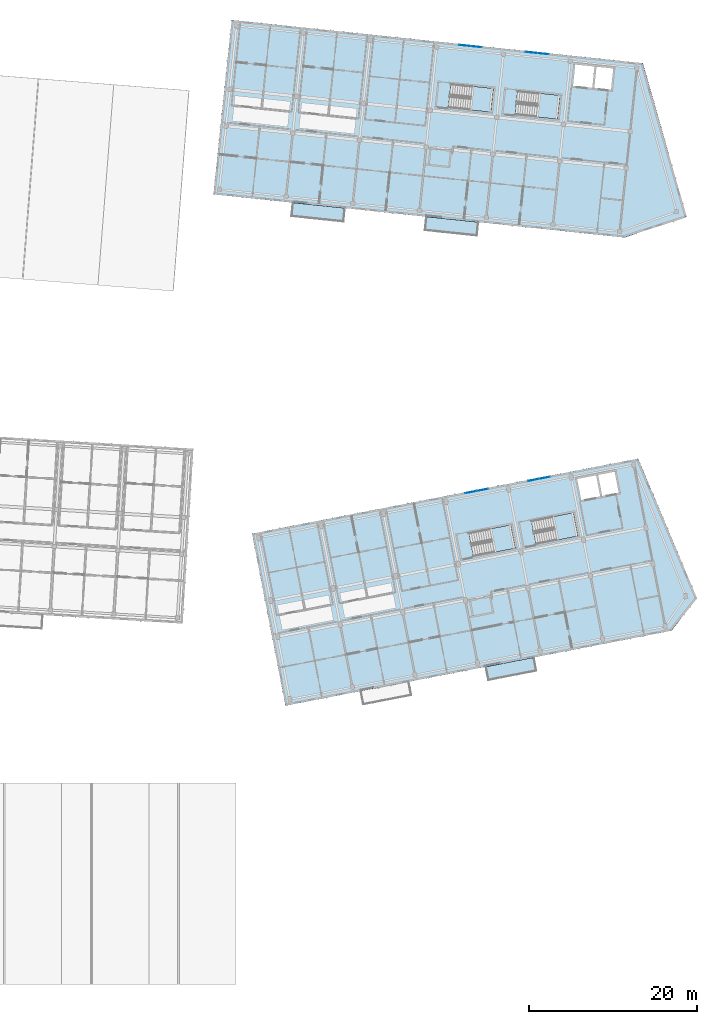
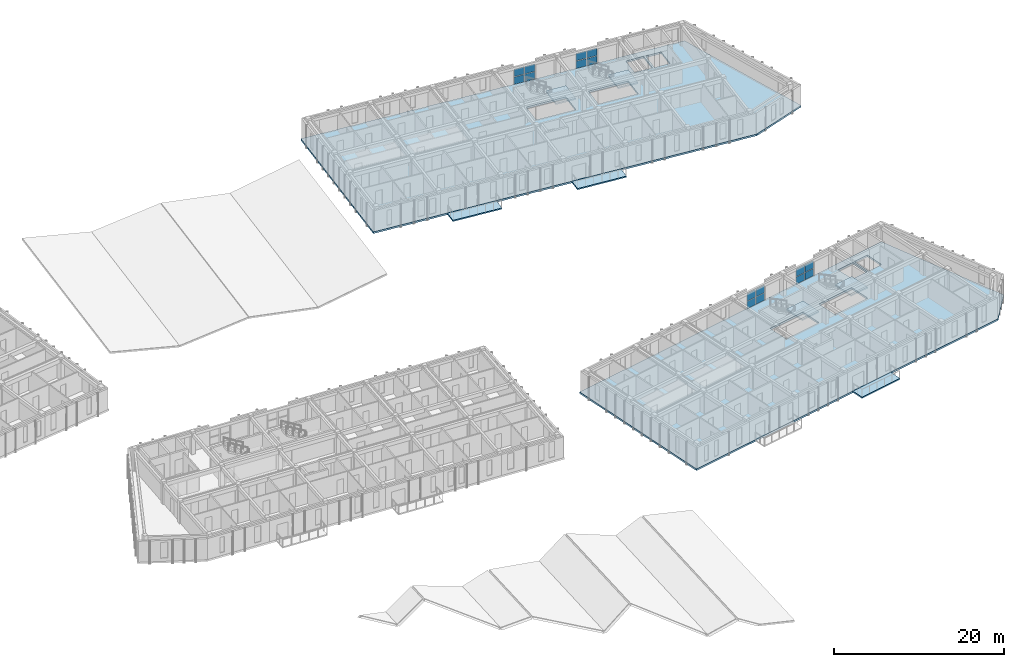
# One storey, part 17 of 74: 16 plates, 9 slabs, 8 elements without a shape of their own.
"""IFC4 building model written with IfcOpenShell, lengths in metres."""

from ifc_helpers import new_model, si_unit, direction, frame, origin, origin_2d, place, context, subcontext, project, spatial, polyline, rectangle, outline, extrude, material, layer, layer_set, type_object, element, aggregate, save


model = new_model("IFC4")

# Units and contexts
model_context = context("Model", 3, precision=1e-05, world=origin(), true_north=direction((0.0, 1.0)))
body_context = subcontext(model_context, "Body", "Model", "MODEL_VIEW")
ifc_project = project(units=[si_unit("LENGTHUNIT", "METRE"), si_unit("AREAUNIT", "SQUARE_METRE"), si_unit("VOLUMEUNIT", "CUBIC_METRE"), si_unit("PLANEANGLEUNIT", "RADIAN"), si_unit("MASSUNIT", "GRAM", prefix="KILO")], contexts=[model_context])

# Site, building, storey
site_placement = place(None, origin())
site = spatial("IfcSite", under=ifc_project, at=site_placement, CompositionType="ELEMENT")
building_placement = place(site_placement, origin())
building = spatial("IfcBuilding", under=site, at=building_placement, Name="Kestramere Prow Commons", CompositionType="ELEMENT")
storey_placement = place(building_placement, frame((0.0, 0.0, 11.64990234375)))
storey = spatial("IfcBuildingStorey", under=building, at=storey_placement, Name="L03", CompositionType="ELEMENT", Elevation=11.64990234375)

# Curtain wall, plates
ifc_material_1 = material(Name="Anodised Aluminium and Low-E Glass", Category="aluminium")
curtain_wall_type = type_object("IfcCurtainWallType", Name="CW-03 Glazed Curtain Wall 2830x2320", PredefinedType="USERDEFINED", material=ifc_material_1)
curtain_wall_1_placement = place(storey_placement, origin())
curtain_wall_1 = element("IfcCurtainWall", 1, at=curtain_wall_1_placement, inside=storey, type_object=curtain_wall_type, Name="Block B L03 Stairwell Vertical Glazing 4", ObjectType="GLAZED CURTAIN WALL", PredefinedType="USERDEFINED")
ifc_material_2 = material(Name="Low-E Laminated Double Glazing", Category="glass")
ifc_layer_1 = layer(ifc_material_2, 0.028076171875)
ifc_layer_set_1 = layer_set([ifc_layer_1], Name="Low-E Laminated Double Glazing")
plate_type = type_object("IfcPlateType", Name="CW-PNL-28", PredefinedType="CURTAIN_PANEL", material=ifc_layer_set_1)
plate_1_placement = place(storey_placement, frame((139.2626953125, 111.960205078125, 0.065185546875), z_axis=(0.0, 0.0, 1.0), x_axis=(0.994521879016, -0.104528618845, 0.0)))
plate_1 = element("IfcPlate", 2, at=plate_1_placement, type_object=plate_type, Name="CW-03 panel 1.1", PredefinedType="CURTAIN_PANEL", context=body_context, shape_type="SweptSolid", body=[
    extrude(rectangle(XDim=1.3173828125, YDim=0.028076171875, at=origin_2d()), origin(), (0.0, 0.0, 1.0), 1.0625),
])
plate_2_placement = place(storey_placement, frame((139.2626953125, 111.960205078125, 1.192626953125), z_axis=(0.0, 0.0, 1.0), x_axis=(0.994521879016, -0.104528618845, 0.0)))
plate_2 = element("IfcPlate", 3, at=plate_2_placement, type_object=plate_type, Name="CW-03 panel 1.2", PredefinedType="CURTAIN_PANEL", context=body_context, shape_type="SweptSolid", body=[
    extrude(rectangle(XDim=1.3173828125, YDim=0.028076171875, at=origin_2d()), origin(), (0.0, 0.0, 1.0), 1.0625),
])
plate_3_placement = place(storey_placement, frame((140.6376953125, 111.815673828125, 0.065185546875), z_axis=(0.0, 0.0, 1.0), x_axis=(0.994521879016, -0.104528618845, 0.0)))
plate_3 = element("IfcPlate", 4, at=plate_3_placement, type_object=plate_type, Name="CW-03 panel 2.1", PredefinedType="CURTAIN_PANEL", context=body_context, shape_type="SweptSolid", body=[
    extrude(rectangle(XDim=1.3173828125, YDim=0.028076171875, at=origin_2d()), origin(), (0.0, 0.0, 1.0), 1.0625),
])
plate_4_placement = place(storey_placement, frame((140.6376953125, 111.815673828125, 1.192626953125), z_axis=(0.0, 0.0, 1.0), x_axis=(0.994521879016, -0.104528618845, 0.0)))
plate_4 = element("IfcPlate", 5, at=plate_4_placement, type_object=plate_type, Name="CW-03 panel 2.2", PredefinedType="CURTAIN_PANEL", context=body_context, shape_type="SweptSolid", body=[
    extrude(rectangle(XDim=1.3173828125, YDim=0.028076171875, at=origin_2d()), origin(), (0.0, 0.0, 1.0), 1.0625),
])
aggregate(curtain_wall_1, [plate_1, plate_2, plate_3, plate_4])

curtain_wall_2_placement = place(storey_placement, origin())
curtain_wall_2 = element("IfcCurtainWall", 6, at=curtain_wall_2_placement, inside=storey, type_object=curtain_wall_type, Name="Block B L03 Stairwell Vertical Glazing 5", ObjectType="GLAZED CURTAIN WALL", PredefinedType="USERDEFINED")
plate_5_placement = place(storey_placement, frame((147.218994140625, 111.1240234375, 0.065185546875), z_axis=(0.0, 0.0, 1.0), x_axis=(0.99452191575, -0.104528269348, 0.0)))
plate_5 = element("IfcPlate", 7, at=plate_5_placement, type_object=plate_type, Name="CW-03 panel 1.1", PredefinedType="CURTAIN_PANEL", context=body_context, shape_type="SweptSolid", body=[
    extrude(rectangle(XDim=1.3173828125, YDim=0.028076171875, at=origin_2d()), origin(), (0.0, 0.0, 1.0), 1.0625),
])
plate_6_placement = place(storey_placement, frame((147.218994140625, 111.1240234375, 1.192626953125), z_axis=(0.0, 0.0, 1.0), x_axis=(0.99452191575, -0.104528269348, 0.0)))
plate_6 = element("IfcPlate", 8, at=plate_6_placement, type_object=plate_type, Name="CW-03 panel 1.2", PredefinedType="CURTAIN_PANEL", context=body_context, shape_type="SweptSolid", body=[
    extrude(rectangle(XDim=1.3173828125, YDim=0.028076171875, at=origin_2d()), origin(), (0.0, 0.0, 1.0), 1.0625),
])
plate_7_placement = place(storey_placement, frame((148.593994140625, 110.9794921875, 0.065185546875), z_axis=(0.0, 0.0, 1.0), x_axis=(0.99452191575, -0.104528269348, 0.0)))
plate_7 = element("IfcPlate", 9, at=plate_7_placement, type_object=plate_type, Name="CW-03 panel 2.1", PredefinedType="CURTAIN_PANEL", context=body_context, shape_type="SweptSolid", body=[
    extrude(rectangle(XDim=1.3173828125, YDim=0.028076171875, at=origin_2d()), origin(), (0.0, 0.0, 1.0), 1.0625),
])
plate_8_placement = place(storey_placement, frame((148.593994140625, 110.9794921875, 1.192626953125), z_axis=(0.0, 0.0, 1.0), x_axis=(0.99452191575, -0.104528269348, 0.0)))
plate_8 = element("IfcPlate", 10, at=plate_8_placement, type_object=plate_type, Name="CW-03 panel 2.2", PredefinedType="CURTAIN_PANEL", context=body_context, shape_type="SweptSolid", body=[
    extrude(rectangle(XDim=1.3173828125, YDim=0.028076171875, at=origin_2d()), origin(), (0.0, 0.0, 1.0), 1.0625),
])
aggregate(curtain_wall_2, [plate_5, plate_6, plate_7, plate_8])

curtain_wall_3_placement = place(storey_placement, origin())
curtain_wall_3 = element("IfcCurtainWall", 11, at=curtain_wall_3_placement, inside=storey, type_object=curtain_wall_type, Name="Block D L03 Stairwell Vertical Glazing 4", ObjectType="GLAZED CURTAIN WALL", PredefinedType="USERDEFINED")
plate_9_placement = place(storey_placement, frame((139.99267578125, 58.698974609375, 0.065185546875), z_axis=(0.0, 0.0, 1.0), x_axis=(0.981627214599, 0.190808835118, 0.0)))
plate_9 = element("IfcPlate", 12, at=plate_9_placement, type_object=plate_type, Name="CW-03 panel 1.1", PredefinedType="CURTAIN_PANEL", context=body_context, shape_type="SweptSolid", body=[
    extrude(rectangle(XDim=1.3173828125, YDim=0.028076171875, at=origin_2d()), origin(), (0.0, 0.0, 1.0), 1.0625),
])
plate_10_placement = place(storey_placement, frame((139.99267578125, 58.698974609375, 1.192626953125), z_axis=(0.0, 0.0, 1.0), x_axis=(0.981627214599, 0.190808835118, 0.0)))
plate_10 = element("IfcPlate", 13, at=plate_10_placement, type_object=plate_type, Name="CW-03 panel 1.2", PredefinedType="CURTAIN_PANEL", context=body_context, shape_type="SweptSolid", body=[
    extrude(rectangle(XDim=1.3173828125, YDim=0.028076171875, at=origin_2d()), origin(), (0.0, 0.0, 1.0), 1.0625),
])
plate_11_placement = place(storey_placement, frame((141.349853515625, 58.962646484375, 0.065185546875), z_axis=(0.0, 0.0, 1.0), x_axis=(0.981627214599, 0.190808835118, 0.0)))
plate_11 = element("IfcPlate", 14, at=plate_11_placement, type_object=plate_type, Name="CW-03 panel 2.1", PredefinedType="CURTAIN_PANEL", context=body_context, shape_type="SweptSolid", body=[
    extrude(rectangle(XDim=1.3173828125, YDim=0.028076171875, at=origin_2d()), origin(), (0.0, 0.0, 1.0), 1.0625),
])
plate_12_placement = place(storey_placement, frame((141.349853515625, 58.962646484375, 1.192626953125), z_axis=(0.0, 0.0, 1.0), x_axis=(0.981627214599, 0.190808835118, 0.0)))
plate_12 = element("IfcPlate", 15, at=plate_12_placement, type_object=plate_type, Name="CW-03 panel 2.2", PredefinedType="CURTAIN_PANEL", context=body_context, shape_type="SweptSolid", body=[
    extrude(rectangle(XDim=1.3173828125, YDim=0.028076171875, at=origin_2d()), origin(), (0.0, 0.0, 1.0), 1.0625),
])
aggregate(curtain_wall_3, [plate_9, plate_10, plate_11, plate_12])

curtain_wall_4_placement = place(storey_placement, origin())
curtain_wall_4 = element("IfcCurtainWall", 16, at=curtain_wall_4_placement, inside=storey, type_object=curtain_wall_type, Name="Block D L03 Stairwell Vertical Glazing 5", ObjectType="GLAZED CURTAIN WALL", PredefinedType="USERDEFINED")
plate_13_placement = place(storey_placement, frame((147.453125, 60.14892578125, 0.065185546875), z_axis=(0.0, 0.0, 1.0), x_axis=(0.981627214599, 0.190808835118, 0.0)))
plate_13 = element("IfcPlate", 17, at=plate_13_placement, type_object=plate_type, Name="CW-03 panel 1.1", PredefinedType="CURTAIN_PANEL", context=body_context, shape_type="SweptSolid", body=[
    extrude(rectangle(XDim=1.3173828125, YDim=0.028076171875, at=origin_2d()), origin(), (0.0, 0.0, 1.0), 1.0625),
])
plate_14_placement = place(storey_placement, frame((147.453125, 60.14892578125, 1.192626953125), z_axis=(0.0, 0.0, 1.0), x_axis=(0.981627214599, 0.190808835118, 0.0)))
plate_14 = element("IfcPlate", 18, at=plate_14_placement, type_object=plate_type, Name="CW-03 panel 1.2", PredefinedType="CURTAIN_PANEL", context=body_context, shape_type="SweptSolid", body=[
    extrude(rectangle(XDim=1.3173828125, YDim=0.028076171875, at=origin_2d()), origin(), (0.0, 0.0, 1.0), 1.0625),
])
plate_15_placement = place(storey_placement, frame((148.81005859375, 60.412841796875, 0.065185546875), z_axis=(0.0, 0.0, 1.0), x_axis=(0.981627214599, 0.190808835118, 0.0)))
plate_15 = element("IfcPlate", 19, at=plate_15_placement, type_object=plate_type, Name="CW-03 panel 2.1", PredefinedType="CURTAIN_PANEL", context=body_context, shape_type="SweptSolid", body=[
    extrude(rectangle(XDim=1.3173828125, YDim=0.028076171875, at=origin_2d()), origin(), (0.0, 0.0, 1.0), 1.0625),
])
plate_16_placement = place(storey_placement, frame((148.81005859375, 60.412841796875, 1.192626953125), z_axis=(0.0, 0.0, 1.0), x_axis=(0.981627214599, 0.190808835118, 0.0)))
plate_16 = element("IfcPlate", 20, at=plate_16_placement, type_object=plate_type, Name="CW-03 panel 2.2", PredefinedType="CURTAIN_PANEL", context=body_context, shape_type="SweptSolid", body=[
    extrude(rectangle(XDim=1.3173828125, YDim=0.028076171875, at=origin_2d()), origin(), (0.0, 0.0, 1.0), 1.0625),
])
aggregate(curtain_wall_4, [plate_13, plate_14, plate_15, plate_16])

# Slabs
ifc_material_3 = material(Name="Precast concrete C40/50", Category="concrete")
ifc_layer_2 = layer(ifc_material_3, 0.179931640625)
ifc_layer_set_2 = layer_set([ifc_layer_2], Name="Precast concrete C40/50")
slab_type_1 = type_object("IfcSlabType", Name="SL-BALC-180", PredefinedType="FLOOR", material=ifc_layer_set_2)
slab_1_placement = place(storey_placement, frame((0.0, 0.0, -0.179931640625)))
element("IfcSlab", 21, at=slab_1_placement, inside=storey, type_object=slab_type_1, Name="Block B L03 Apartment Balcony Slab 2", PredefinedType="FLOOR", context=body_context, shape_type="SweptSolid", body=[
    extrude(outline(polyline([(118.56103515625, 91.58740234375), (124.82666015625, 90.928955078125), (124.9990234375, 92.570068359375), (118.733642578125, 93.228515625), (118.56103515625, 91.58740234375)])), origin(), (0.0, 0.0, 1.0), 0.179931640625),
])
slab_2_placement = place(storey_placement, frame((0.0, 0.0, -0.179931640625)))
element("IfcSlab", 22, at=slab_2_placement, inside=storey, type_object=slab_type_1, Name="Block B L03 Apartment Balcony Slab 4", PredefinedType="FLOOR", context=body_context, shape_type="SweptSolid", body=[
    extrude(outline(polyline([(134.473388671875, 89.9150390625), (140.739013671875, 89.256591796875), (140.911376953125, 90.8974609375), (134.64599609375, 91.555908203125), (134.473388671875, 89.9150390625)])), origin(), (0.0, 0.0, 1.0), 0.179931640625),
])
slab_3_placement = place(storey_placement, frame((0.0, 0.0, -0.179931640625)))
element("IfcSlab", 23, at=slab_3_placement, inside=storey, type_object=slab_type_1, Name="Block D L03 Apartment Balcony Slab 4", PredefinedType="FLOOR", context=body_context, shape_type="SweptSolid", body=[
    extrude(outline(polyline([(142.054443359375, 36.2548828125), (147.845947265625, 37.380615234375), (147.531005859375, 39.000244140625), (141.739501953125, 37.87451171875), (142.054443359375, 36.2548828125)])), origin(), (0.0, 0.0, 1.0), 0.179931640625),
])
ifc_layer_3 = layer(ifc_material_3, 0.25)
ifc_layer_set_3 = layer_set([ifc_layer_3], Name="Precast concrete C40/50")
slab_type_2 = type_object("IfcSlabType", Name="SL-HC-250", PredefinedType="FLOOR", material=ifc_layer_set_3)
slab_4_placement = place(storey_placement, frame((0.0, 0.0, -0.25)))
element("IfcSlab", 24, at=slab_4_placement, inside=storey, type_object=slab_type_2, Name="Block B L03 Hollowcore Floor Slab", PredefinedType="FLOOR", context=body_context, shape_type="SweptSolid", body=[
    extrude(outline(polyline([(109.28564453125, 94.221435546875), (158.3154296875, 89.068359375), (165.71630859375, 91.558349609375), (160.500244140625, 109.853759765625), (111.47021484375, 115.007080078125), (109.28564453125, 94.221435546875)]), holes=[polyline([(152.1728515625, 107.159423828125), (154.46044921875, 106.9189453125), (154.726806640625, 109.455078125), (152.439453125, 109.695556640625), (152.1728515625, 107.159423828125)]), polyline([(154.708984375, 106.892822265625), (156.697998046875, 106.683837890625), (156.964599609375, 109.219970703125), (154.9755859375, 109.428955078125), (154.708984375, 106.892822265625)]), polyline([(137.318603515625, 104.5478515625), (142.390625, 104.0146484375), (142.6884765625, 106.84912109375), (137.616455078125, 107.38232421875), (137.318603515625, 104.5478515625)]), polyline([(145.274658203125, 103.711669921875), (150.346923828125, 103.178466796875), (150.644775390625, 106.012939453125), (145.57275390625, 106.5458984375), (145.274658203125, 103.711669921875)])]), origin(), (0.0, 0.0, 1.0), 0.25),
])
slab_5_placement = place(storey_placement, frame((0.0, 0.0, -0.25)))
element("IfcSlab", 25, at=slab_5_placement, inside=storey, type_object=slab_type_2, Name="Block D L03 Hollowcore Floor Slab", PredefinedType="FLOOR", context=body_context, shape_type="SweptSolid", body=[
    extrude(outline(polyline([(117.885986328125, 33.238037109375), (163.92431640625, 42.186767578125), (166.936279296875, 46.083251953125), (159.936279296875, 62.702880859375), (113.89794921875, 53.75390625), (117.885986328125, 33.238037109375)]), holes=[polyline([(153.1533203125, 57.767822265625), (155.4111328125, 58.206787109375), (154.924560546875, 60.7099609375), (152.666748046875, 60.27099609375), (153.1533203125, 57.767822265625)]), polyline([(155.656494140625, 58.25439453125), (157.619873046875, 58.63623046875), (157.13330078125, 61.13916015625), (155.169921875, 60.757568359375), (155.656494140625, 58.25439453125)]), polyline([(140.300537109375, 51.0419921875), (145.306884765625, 52.01513671875), (144.76318359375, 54.812744140625), (139.7568359375, 53.839599609375), (140.300537109375, 51.0419921875)]), polyline([(147.760986328125, 52.4921875), (152.767333984375, 53.46533203125), (152.223388671875, 56.262939453125), (147.21728515625, 55.289794921875), (147.760986328125, 52.4921875)])]), origin(), (0.0, 0.0, 1.0), 0.25),
])

# Stair, slab
ifc_material_4 = material(Name="Concrete C40/50", Category="concrete")
stair_type = type_object("IfcStairType", Name="ST-DOG-1350", PredefinedType="HALF_TURN_STAIR", material=ifc_material_4)
stair_1_placement = place(storey_placement, origin())
stair_1 = element("IfcStair", 26, at=stair_1_placement, inside=storey, type_object=stair_type, Name="L03 Block B Exit Stair 1", PredefinedType="HALF_TURN_STAIR")
ifc_layer_4 = layer(ifc_material_4, 0.199951171875)
ifc_layer_set_4 = layer_set([ifc_layer_4], Name="Concrete C40/50")
slab_type_3 = type_object("IfcSlabType", Name="SL-ST-LAND-200", PredefinedType="LANDING", material=ifc_layer_set_4)
slab_6_placement = place(storey_placement, frame((0.0, 0.0, 1.425048828125)))
slab_6 = element("IfcSlab", 27, at=slab_6_placement, type_object=slab_type_3, Name="ST-B1 landing 1", PredefinedType="LANDING", context=body_context, shape_type="SweptSolid", body=[
    extrude(outline(polyline([(139.82470703125, 104.284423828125), (142.390625, 104.0146484375), (142.6884765625, 106.84912109375), (140.122802734375, 107.118896484375), (139.82470703125, 104.284423828125)])), origin(), (0.0, 0.0, 1.0), 0.199951171875),
])
aggregate(stair_1, [slab_6])

stair_2_placement = place(storey_placement, origin())
stair_2 = element("IfcStair", 28, at=stair_2_placement, inside=storey, type_object=stair_type, Name="L03 Block B Exit Stair 2", PredefinedType="HALF_TURN_STAIR")
slab_7_placement = place(storey_placement, frame((0.0, 0.0, 1.425048828125)))
slab_7 = element("IfcSlab", 29, at=slab_7_placement, type_object=slab_type_3, Name="ST-B2 landing 1", PredefinedType="LANDING", context=body_context, shape_type="SweptSolid", body=[
    extrude(outline(polyline([(147.781005859375, 103.4482421875), (150.346923828125, 103.178466796875), (150.644775390625, 106.012939453125), (148.078857421875, 106.282470703125), (147.781005859375, 103.4482421875)])), origin(), (0.0, 0.0, 1.0), 0.199951171875),
])
aggregate(stair_2, [slab_7])

stair_3_placement = place(storey_placement, origin())
stair_3 = element("IfcStair", 30, at=stair_3_placement, inside=storey, type_object=stair_type, Name="L03 Block D Exit Stair 1", PredefinedType="HALF_TURN_STAIR")
slab_8_placement = place(storey_placement, frame((0.0, 0.0, 1.425048828125)))
slab_8 = element("IfcSlab", 31, at=slab_8_placement, type_object=slab_type_3, Name="ST-D1 landing 1", PredefinedType="LANDING", context=body_context, shape_type="SweptSolid", body=[
    extrude(outline(polyline([(142.7744140625, 51.522705078125), (145.306884765625, 52.01513671875), (144.76318359375, 54.812744140625), (142.23046875, 54.3203125), (142.7744140625, 51.522705078125)])), origin(), (0.0, 0.0, 1.0), 0.199951171875),
])
aggregate(stair_3, [slab_8])

stair_4_placement = place(storey_placement, origin())
stair_4 = element("IfcStair", 32, at=stair_4_placement, inside=storey, type_object=stair_type, Name="L03 Block D Exit Stair 2", PredefinedType="HALF_TURN_STAIR")
slab_9_placement = place(storey_placement, frame((0.0, 0.0, 1.425048828125)))
slab_9 = element("IfcSlab", 33, at=slab_9_placement, type_object=slab_type_3, Name="ST-D2 landing 1", PredefinedType="LANDING", context=body_context, shape_type="SweptSolid", body=[
    extrude(outline(polyline([(150.234619140625, 52.972900390625), (152.767333984375, 53.46533203125), (152.223388671875, 56.262939453125), (149.69091796875, 55.7705078125), (150.234619140625, 52.972900390625)])), origin(), (0.0, 0.0, 1.0), 0.199951171875),
])
aggregate(stair_4, [slab_9])

save(model, "model.ifc")
